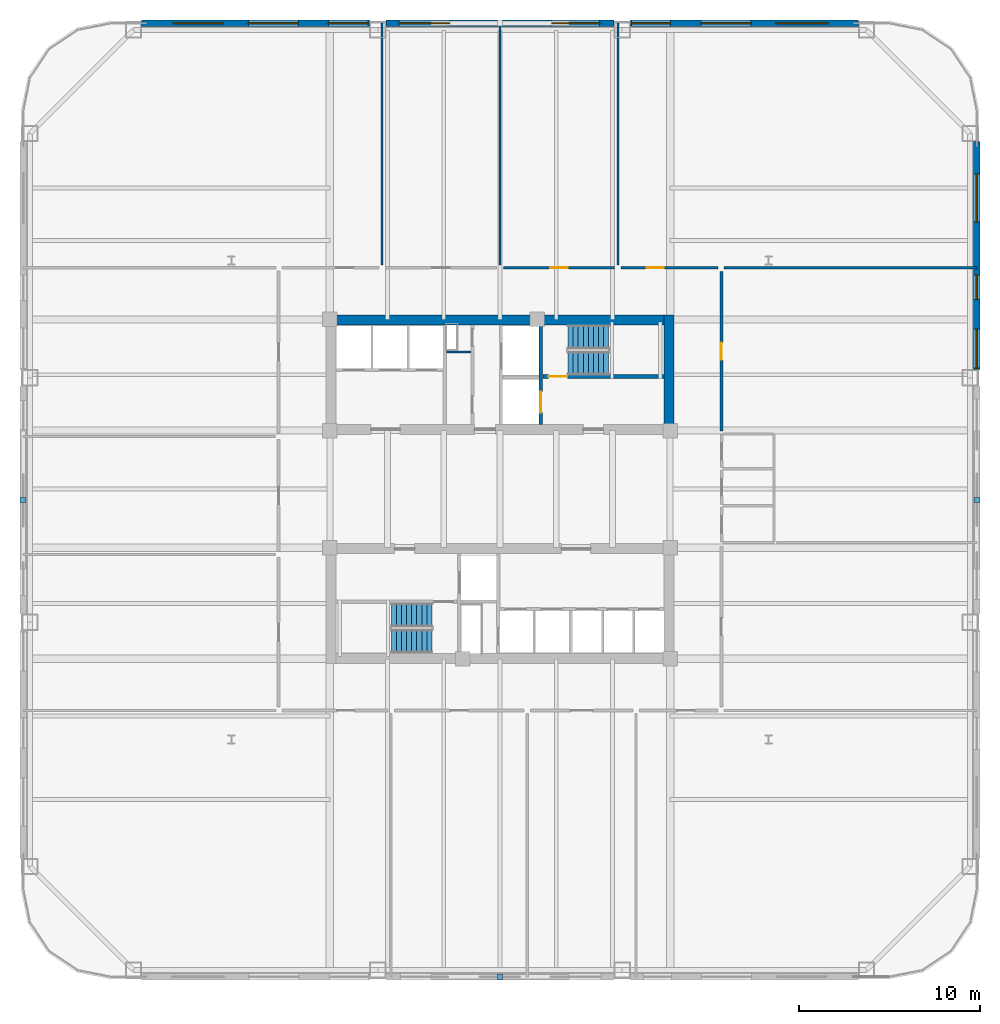
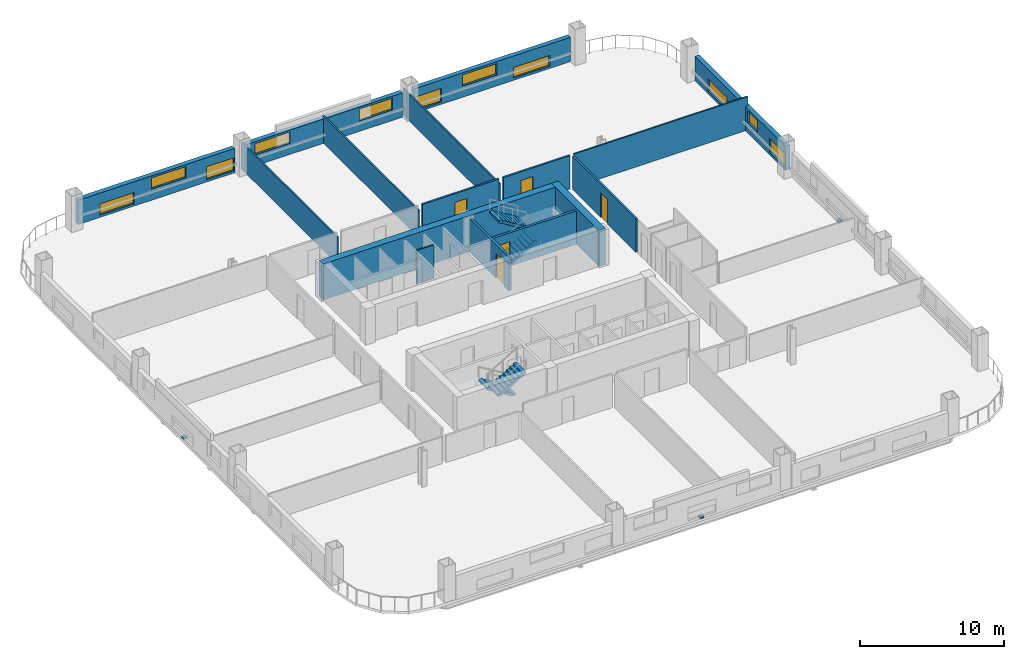
# One storey, part 5 of 12: 16 walls, 11 windows, 5 doors, 4 stair flights, 3 discrete accessories, 16 openings, 2 elements without a shape of their own.
"""IFC4 building model written with IfcOpenShell, lengths in metres."""

from ifc_helpers import new_model, si_unit, direction, frame, frame_2d, origin, origin_2d, place, context, subcontext, project, spatial, polyline, rectangle, outline, extrude, material, layer, layer_set, type_object, element, fill, aggregate, save


model = new_model("IFC4")

# Units and contexts
model_context = context("Model", 3, precision=1e-05, world=origin(), true_north=direction((0.0, 1.0)))
body_context = subcontext(model_context, "Body", "Model", "MODEL_VIEW")
ifc_project = project(units=[si_unit("LENGTHUNIT", "METRE"), si_unit("AREAUNIT", "SQUARE_METRE"), si_unit("VOLUMEUNIT", "CUBIC_METRE"), si_unit("PLANEANGLEUNIT", "RADIAN"), si_unit("MASSUNIT", "GRAM", prefix="KILO")], contexts=[model_context])

# Site, building, storey
site_placement = place(None, origin())
site = spatial("IfcSite", under=ifc_project, at=site_placement, CompositionType="ELEMENT")
building_placement = place(site_placement, origin())
building = spatial("IfcBuilding", under=site, at=building_placement, Name="Qhalaya Broadcast Tower", CompositionType="ELEMENT")
storey_placement = place(building_placement, frame((0.0, 0.0, 47.449951171875)))
storey = spatial("IfcBuildingStorey", under=building, at=storey_placement, Name="L13", CompositionType="ELEMENT", Elevation=47.449951171875)

# Wall, opening, door
ifc_material_1 = material(Name="Gypsum Acoustic Partition")
ifc_layer_1 = layer(ifc_material_1, 0.14990234375, Name="Gypsum Acoustic Partition")
ifc_layer_set_1 = layer_set([ifc_layer_1], Name="Gypsum Acoustic Partition")
wall_type_1 = type_object("IfcWallType", Name="Corridor & Tenancy Acoustic Partition 150", PredefinedType="PARTITIONING", material=ifc_layer_set_1)
wall_1_placement = place(storey_placement, frame((0.179931640625, 12.800048828125, 0.0), z_axis=(0.0, 0.0, 1.0), x_axis=(1.0, 0.0, 0.0)))
wall_1 = element("IfcWall", 1, at=wall_1_placement, inside=storey, type_object=wall_type_1, Name="L13 Partition Wall W-COR-03", PredefinedType="PARTITIONING", context=body_context, shape_type="SweptSolid", body=[
    extrude(rectangle(XDim=6.14013671875, YDim=0.14990234375, at=frame_2d((3.070068359375, 0.0))), origin(), (0.0, 0.0, 1.0), 2.830078125),
])
opening_1_placement = place(wall_1_placement, frame((2.594970703125, 0.0, 0.0)))
opening_1 = element("IfcOpeningElement", 2, at=opening_1_placement, cuts=wall_1, Name="Opening D10", PredefinedType="OPENING", context=body_context, shape_type="SweptSolid", body=[
    extrude(rectangle(XDim=0.949951171875, YDim=2.10009765625, at=frame_2d((0.47509765625, 1.050048828125))), frame((0.0, 0.0869140625, 0.0), z_axis=(0.0, -1.0, 0.0), x_axis=(1.0, 0.0, 0.0)), (0.0, 0.0, 1.0), 0.173828125),
])
ifc_material_2 = material(Name="Timber Veneer Acoustic Door", Category="wood")
door_type_1 = type_object("IfcDoorType", Name="Cellular Office & Edit Booth Door D10", OperationType="NOTDEFINED", PredefinedType="DOOR", material=ifc_material_2)
door_1_placement = place(opening_1_placement, origin())
door_1 = element("IfcDoor", 3, at=door_1_placement, inside=storey, type_object=door_type_1, Name="L13 Door D-RM03", OperationType="SINGLE_SWING_LEFT", OverallHeight=2.10009765625, OverallWidth=0.949951171875, PredefinedType="DOOR", context=body_context, shape_type="SweptSolid", body=[
    extrude(rectangle(XDim=0.949951171875, YDim=2.10009765625, at=frame_2d((0.47509765625, 1.050048828125))), frame((0.0, 0.02490234375, 0.0), z_axis=(0.0, -1.0, 0.0), x_axis=(1.0, 0.0, 0.0)), (0.0, 0.0, 1.0), 0.050048828125),
])
fill(opening_1, door_1)

wall_2_placement = place(storey_placement, frame((6.679931640625, 12.800048828125, 0.0), z_axis=(0.0, 0.0, 1.0), x_axis=(1.0, 0.0, 0.0)))
wall_2 = element("IfcWall", 4, at=wall_2_placement, inside=storey, type_object=wall_type_1, Name="L13 Partition Wall W-COR-04", PredefinedType="PARTITIONING", context=body_context, shape_type="SweptSolid", body=[
    extrude(rectangle(XDim=5.340087890625, YDim=0.14990234375, at=frame_2d((2.669921875, 0.0))), origin(), (0.0, 0.0, 1.0), 2.830078125),
])
opening_2_placement = place(wall_2_placement, frame((1.39501953125, 0.0, 0.0)))
opening_2 = element("IfcOpeningElement", 5, at=opening_2_placement, cuts=wall_2, Name="Opening D10", PredefinedType="OPENING", context=body_context, shape_type="SweptSolid", body=[
    extrude(rectangle(XDim=0.949951171875, YDim=2.10009765625, at=frame_2d((0.47509765625, 1.050048828125))), frame((0.0, 0.0869140625, 0.0), z_axis=(0.0, -1.0, 0.0), x_axis=(1.0, 0.0, 0.0)), (0.0, 0.0, 1.0), 0.173828125),
])
door_2_placement = place(opening_2_placement, origin())
door_2 = element("IfcDoor", 6, at=door_2_placement, inside=storey, type_object=door_type_1, Name="L13 Door D-RM04", OperationType="SINGLE_SWING_RIGHT", OverallHeight=2.10009765625, OverallWidth=0.949951171875, PredefinedType="DOOR", context=body_context, shape_type="SweptSolid", body=[
    extrude(rectangle(XDim=0.949951171875, YDim=2.10009765625, at=frame_2d((0.47509765625, 1.050048828125))), frame((0.0, 0.02490234375, 0.0), z_axis=(0.0, -1.0, 0.0), x_axis=(1.0, 0.0, 0.0)), (0.0, 0.0, 1.0), 0.050048828125),
])
fill(opening_2, door_2)

wall_3_placement = place(storey_placement, frame((12.199951171875, 3.800048828125, 0.0), z_axis=(0.0, 0.0, 1.0), x_axis=(0.0, 1.0, 0.0)))
wall_3 = element("IfcWall", 7, at=wall_3_placement, inside=storey, type_object=wall_type_1, Name="L13 Partition Wall W-COR-13", PredefinedType="PARTITIONING", context=body_context, shape_type="SweptSolid", body=[
    extrude(rectangle(XDim=8.800048828125, YDim=0.14990234375, at=frame_2d((4.39990234375, 0.0))), origin(), (0.0, 0.0, 1.0), 2.830078125),
])
opening_3_placement = place(wall_3_placement, frame((3.925048828125, 0.0, 0.0)))
opening_3 = element("IfcOpeningElement", 8, at=opening_3_placement, cuts=wall_3, Name="Opening D10", PredefinedType="OPENING", context=body_context, shape_type="SweptSolid", body=[
    extrude(rectangle(XDim=0.949951171875, YDim=2.10009765625, at=frame_2d((0.47509765625, 1.050048828125))), frame((0.0, 0.0869140625, 0.0), z_axis=(0.0, -1.0, 0.0), x_axis=(1.0, 0.0, 0.0)), (0.0, 0.0, 1.0), 0.173828125),
])
door_3_placement = place(opening_3_placement, origin())
door_3 = element("IfcDoor", 9, at=door_3_placement, inside=storey, type_object=door_type_1, Name="L13 Door D-RM13", OperationType="SINGLE_SWING_LEFT", OverallHeight=2.10009765625, OverallWidth=0.949951171875, PredefinedType="DOOR", context=body_context, shape_type="SweptSolid", body=[
    extrude(rectangle(XDim=0.949951171875, YDim=2.10009765625, at=frame_2d((0.47509765625, 1.050048828125))), frame((0.0, 0.02490234375, 0.0), z_axis=(0.0, -1.0, 0.0), x_axis=(1.0, 0.0, 0.0)), (0.0, 0.0, 1.0), 0.050048828125),
])
fill(opening_3, door_3)

# Wall, openings, windows
ifc_material_3 = material(Name="Precast Concrete C40/50", Category="concrete")
ifc_layer_2 = layer(ifc_material_3, 0.360107421875, Name="Precast Concrete C40/50")
ifc_layer_set_2 = layer_set([ifc_layer_2], Name="Precast Concrete C40/50")
wall_type_2 = type_object("IfcWallType", Name="Insulated Precast Terracotta Exterior Wall 360", PredefinedType="SOLIDWALL", material=ifc_layer_set_2)
wall_4_placement = place(storey_placement, frame((26.260009765625, 19.761962890625, 0.0), z_axis=(0.0, 0.0, 1.0), x_axis=(0.0, -1.0, 0.0)))
wall_4 = element("IfcWall", 10, at=wall_4_placement, inside=storey, type_object=wall_type_2, Name="L13 Exoskeleton Diagrid Infill Wall E1", PredefinedType="SOLIDWALL", context=body_context, shape_type="SweptSolid", body=[
    extrude(rectangle(XDim=12.57861328125, YDim=0.360107421875, at=frame_2d((6.289306640625, 0.0))), origin(), (0.0, 0.0, 1.0), 2.067138671875),
])
opening_4_placement = place(wall_4_placement, frame((1.800048828125, 0.0, 0.199951171875)))
opening_4 = element("IfcOpeningElement", 11, at=opening_4_placement, cuts=wall_4, Name="Opening W11", PredefinedType="OPENING", context=body_context, shape_type="SweptSolid", body=[
    extrude(rectangle(XDim=2.64990234375, YDim=1.050048828125, at=frame_2d((1.324951171875, 0.52490234375))), frame((0.0, 0.192138671875, 0.0), z_axis=(0.0, -1.0, 0.0), x_axis=(1.0, 0.0, 0.0)), (0.0, 0.0, 1.0), 0.384033203125),
])
opening_5_placement = place(wall_4_placement, frame((7.35009765625, 0.0, 0.89990234375)))
opening_5 = element("IfcOpeningElement", 12, at=opening_5_placement, cuts=wall_4, Name="Opening W11", PredefinedType="OPENING", context=body_context, shape_type="SweptSolid", body=[
    extrude(rectangle(XDim=1.35009765625, YDim=1.0, at=frame_2d((0.675048828125, 0.5))), frame((0.0, 0.192138671875, 0.0), z_axis=(0.0, -1.0, 0.0), x_axis=(1.0, 0.0, 0.0)), (0.0, 0.0, 1.0), 0.384033203125),
])
opening_6_placement = place(wall_4_placement, frame((10.35009765625, 0.0, 0.199951171875)))
opening_6 = element("IfcOpeningElement", 13, at=opening_6_placement, cuts=wall_4, Name="Opening W11", PredefinedType="OPENING", context=body_context, shape_type="SweptSolid", body=[
    extrude(rectangle(XDim=2.14990234375, YDim=1.199951171875, at=frame_2d((1.074951171875, 0.60009765625))), frame((0.0, 0.192138671875, 0.0), z_axis=(0.0, -1.0, 0.0), x_axis=(1.0, 0.0, 0.0)), (0.0, 0.0, 1.0), 0.384033203125),
])
ifc_material_4 = material(Name="Solar-Control Low-E Triple Glazing", Category="glass")
window_type = type_object("IfcWindowType", Name="Odd-Block Diagrid Infill Window W11", PartitioningType="SINGLE_PANEL", PredefinedType="WINDOW", material=ifc_material_4)
window_1_placement = place(opening_4_placement, origin())
window_1 = element("IfcWindow", 14, at=window_1_placement, inside=storey, type_object=window_type, Name="L13 Diagrid Infill Window W11-E1", OverallHeight=1.050048828125, OverallWidth=2.64990234375, PartitioningType="SINGLE_PANEL", PredefinedType="WINDOW", context=body_context, shape_type="SweptSolid", body=[
    extrude(rectangle(XDim=2.64990234375, YDim=1.050048828125, at=frame_2d((1.324951171875, 0.52490234375))), frame((0.0, 0.030029296875, 0.0), z_axis=(0.0, -1.0, 0.0), x_axis=(1.0, 0.0, 0.0)), (0.0, 0.0, 1.0), 0.06005859375),
])
fill(opening_4, window_1)
window_2_placement = place(opening_5_placement, origin())
window_2 = element("IfcWindow", 15, at=window_2_placement, inside=storey, type_object=window_type, Name="L13 Diagrid Infill Window W11-E2", OverallHeight=1.0, OverallWidth=1.35009765625, PartitioningType="SINGLE_PANEL", PredefinedType="WINDOW", context=body_context, shape_type="SweptSolid", body=[
    extrude(rectangle(XDim=1.35009765625, YDim=1.0, at=frame_2d((0.675048828125, 0.5))), frame((0.0, 0.030029296875, 0.0), z_axis=(0.0, -1.0, 0.0), x_axis=(1.0, 0.0, 0.0)), (0.0, 0.0, 1.0), 0.06005859375),
])
fill(opening_5, window_2)
window_3_placement = place(opening_6_placement, origin())
window_3 = element("IfcWindow", 16, at=window_3_placement, inside=storey, type_object=window_type, Name="L13 Diagrid Infill Window W11-E3", OverallHeight=1.199951171875, OverallWidth=2.14990234375, PartitioningType="SINGLE_PANEL", PredefinedType="WINDOW", context=body_context, shape_type="SweptSolid", body=[
    extrude(rectangle(XDim=2.14990234375, YDim=1.199951171875, at=frame_2d((1.074951171875, 0.60009765625))), frame((0.0, 0.030029296875, 0.0), z_axis=(0.0, -1.0, 0.0), x_axis=(1.0, 0.0, 0.0)), (0.0, 0.0, 1.0), 0.06005859375),
])
fill(opening_6, window_3)

wall_5_placement = place(storey_placement, frame((-19.761962890625, 26.260009765625, 0.0), z_axis=(0.0, 0.0, 1.0), x_axis=(1.0, 0.0, 0.0)))
wall_5 = element("IfcWall", 17, at=wall_5_placement, inside=storey, type_object=wall_type_2, Name="L13 Exoskeleton Diagrid Infill Wall N1", PredefinedType="SOLIDWALL", context=body_context, shape_type="SweptSolid", body=[
    extrude(rectangle(XDim=12.57861328125, YDim=0.360107421875, at=frame_2d((6.289306640625, 0.0))), origin(), (0.0, 0.0, 1.0), 2.067138671875),
])
opening_7_placement = place(wall_5_placement, frame((1.75, 0.0, 0.199951171875)))
opening_7 = element("IfcOpeningElement", 18, at=opening_7_placement, cuts=wall_5, Name="Opening W11", PredefinedType="OPENING", context=body_context, shape_type="SweptSolid", body=[
    extrude(rectangle(XDim=2.75, YDim=0.949951171875, at=frame_2d((1.375, 0.47509765625))), frame((0.0, 0.192138671875, 0.0), z_axis=(0.0, -1.0, 0.0), x_axis=(1.0, 0.0, 0.0)), (0.0, 0.0, 1.0), 0.384033203125),
])
opening_8_placement = place(wall_5_placement, frame((5.89990234375, 0.0, 0.949951171875)))
opening_8 = element("IfcOpeningElement", 19, at=opening_8_placement, cuts=wall_5, Name="Opening W11", PredefinedType="OPENING", context=body_context, shape_type="SweptSolid", body=[
    extrude(rectangle(XDim=2.75, YDim=0.949951171875, at=frame_2d((1.375, 0.47509765625))), frame((0.0, 0.192138671875, 0.0), z_axis=(0.0, -1.0, 0.0), x_axis=(1.0, 0.0, 0.0)), (0.0, 0.0, 1.0), 0.384033203125),
])
opening_9_placement = place(wall_5_placement, frame((10.300048828125, 0.0, 0.199951171875)))
opening_9 = element("IfcOpeningElement", 20, at=opening_9_placement, cuts=wall_5, Name="Opening W11", PredefinedType="OPENING", context=body_context, shape_type="SweptSolid", body=[
    extrude(rectangle(XDim=2.199951171875, YDim=1.10009765625, at=frame_2d((1.10009765625, 0.550048828125))), frame((0.0, 0.192138671875, 0.0), z_axis=(0.0, -1.0, 0.0), x_axis=(1.0, 0.0, 0.0)), (0.0, 0.0, 1.0), 0.384033203125),
])
window_4_placement = place(opening_7_placement, origin())
window_4 = element("IfcWindow", 21, at=window_4_placement, inside=storey, type_object=window_type, Name="L13 Diagrid Infill Window W11-N1", OverallHeight=0.949951171875, OverallWidth=2.75, PartitioningType="SINGLE_PANEL", PredefinedType="WINDOW", context=body_context, shape_type="SweptSolid", body=[
    extrude(rectangle(XDim=2.75, YDim=0.949951171875, at=frame_2d((1.375, 0.47509765625))), frame((0.0, 0.030029296875, 0.0), z_axis=(0.0, -1.0, 0.0), x_axis=(1.0, 0.0, 0.0)), (0.0, 0.0, 1.0), 0.06005859375),
])
fill(opening_7, window_4)
window_5_placement = place(opening_8_placement, origin())
window_5 = element("IfcWindow", 22, at=window_5_placement, inside=storey, type_object=window_type, Name="L13 Diagrid Infill Window W11-N2", OverallHeight=0.949951171875, OverallWidth=2.75, PartitioningType="SINGLE_PANEL", PredefinedType="WINDOW", context=body_context, shape_type="SweptSolid", body=[
    extrude(rectangle(XDim=2.75, YDim=0.949951171875, at=frame_2d((1.375, 0.47509765625))), frame((0.0, 0.030029296875, 0.0), z_axis=(0.0, -1.0, 0.0), x_axis=(1.0, 0.0, 0.0)), (0.0, 0.0, 1.0), 0.06005859375),
])
fill(opening_8, window_5)
window_6_placement = place(opening_9_placement, origin())
window_6 = element("IfcWindow", 23, at=window_6_placement, inside=storey, type_object=window_type, Name="L13 Diagrid Infill Window W11-N3", OverallHeight=1.10009765625, OverallWidth=2.199951171875, PartitioningType="SINGLE_PANEL", PredefinedType="WINDOW", context=body_context, shape_type="SweptSolid", body=[
    extrude(rectangle(XDim=2.199951171875, YDim=1.10009765625, at=frame_2d((1.10009765625, 0.550048828125))), frame((0.0, 0.030029296875, 0.0), z_axis=(0.0, -1.0, 0.0), x_axis=(1.0, 0.0, 0.0)), (0.0, 0.0, 1.0), 0.06005859375),
])
fill(opening_9, window_6)

wall_6_placement = place(storey_placement, frame((-6.283203125, 26.260009765625, 0.0), z_axis=(0.0, 0.0, 1.0), x_axis=(1.0, 0.0, 0.0)))
wall_6 = element("IfcWall", 24, at=wall_6_placement, inside=storey, type_object=wall_type_2, Name="L13 Exoskeleton Diagrid Infill Wall N2", PredefinedType="SOLIDWALL", context=body_context, shape_type="SweptSolid", body=[
    extrude(rectangle(XDim=12.56640625, YDim=0.360107421875, at=frame_2d((6.283203125, 0.0))), origin(), (0.0, 0.0, 1.0), 2.067138671875),
])
opening_10_placement = place(wall_6_placement, frame((0.720947265625, 0.0, 0.949951171875)))
opening_10 = element("IfcOpeningElement", 25, at=opening_10_placement, cuts=wall_6, Name="Opening W11", PredefinedType="OPENING", context=body_context, shape_type="SweptSolid", body=[
    extrude(rectangle(XDim=2.800048828125, YDim=0.949951171875, at=frame_2d((1.39990234375, 0.47509765625))), frame((0.0, 0.192138671875, 0.0), z_axis=(0.0, -1.0, 0.0), x_axis=(1.0, 0.0, 0.0)), (0.0, 0.0, 1.0), 0.384033203125),
])
opening_11_placement = place(wall_6_placement, frame((9.12109375, 0.0, 0.89990234375)))
opening_11 = element("IfcOpeningElement", 26, at=opening_11_placement, cuts=wall_6, Name="Opening W11", PredefinedType="OPENING", context=body_context, shape_type="SweptSolid", body=[
    extrude(rectangle(XDim=2.64990234375, YDim=1.0, at=frame_2d((1.324951171875, 0.5))), frame((0.0, 0.192138671875, 0.0), z_axis=(0.0, -1.0, 0.0), x_axis=(1.0, 0.0, 0.0)), (0.0, 0.0, 1.0), 0.384033203125),
])
window_7_placement = place(opening_10_placement, origin())
window_7 = element("IfcWindow", 27, at=window_7_placement, inside=storey, type_object=window_type, Name="L13 Diagrid Infill Window W11-N4", OverallHeight=0.949951171875, OverallWidth=2.800048828125, PartitioningType="SINGLE_PANEL", PredefinedType="WINDOW", context=body_context, shape_type="SweptSolid", body=[
    extrude(rectangle(XDim=2.800048828125, YDim=0.949951171875, at=frame_2d((1.39990234375, 0.47509765625))), frame((0.0, 0.030029296875, 0.0), z_axis=(0.0, -1.0, 0.0), x_axis=(1.0, 0.0, 0.0)), (0.0, 0.0, 1.0), 0.06005859375),
])
fill(opening_10, window_7)
window_8_placement = place(opening_11_placement, origin())
window_8 = element("IfcWindow", 28, at=window_8_placement, inside=storey, type_object=window_type, Name="L13 Diagrid Infill Window W11-N5", OverallHeight=1.0, OverallWidth=2.64990234375, PartitioningType="SINGLE_PANEL", PredefinedType="WINDOW", context=body_context, shape_type="SweptSolid", body=[
    extrude(rectangle(XDim=2.64990234375, YDim=1.0, at=frame_2d((1.324951171875, 0.5))), frame((0.0, 0.030029296875, 0.0), z_axis=(0.0, -1.0, 0.0), x_axis=(1.0, 0.0, 0.0)), (0.0, 0.0, 1.0), 0.06005859375),
])
fill(opening_11, window_8)

wall_7_placement = place(storey_placement, frame((7.183349609375, 26.260009765625, 0.0), z_axis=(0.0, 0.0, 1.0), x_axis=(1.0, 0.0, 0.0)))
wall_7 = element("IfcWall", 29, at=wall_7_placement, inside=storey, type_object=wall_type_2, Name="L13 Exoskeleton Diagrid Infill Wall N3", PredefinedType="SOLIDWALL", context=body_context, shape_type="SweptSolid", body=[
    extrude(rectangle(XDim=12.57861328125, YDim=0.360107421875, at=frame_2d((6.289306640625, 0.0))), origin(), (0.0, 0.0, 1.0), 2.067138671875),
])
opening_12_placement = place(wall_7_placement, frame((0.054931640625, 0.0, 0.199951171875)))
opening_12 = element("IfcOpeningElement", 30, at=opening_12_placement, cuts=wall_7, Name="Opening W11", PredefinedType="OPENING", context=body_context, shape_type="SweptSolid", body=[
    extrude(rectangle(XDim=2.14990234375, YDim=1.14990234375, at=frame_2d((1.074951171875, 0.574951171875))), frame((0.0, 0.192138671875, 0.0), z_axis=(0.0, -1.0, 0.0), x_axis=(1.0, 0.0, 0.0)), (0.0, 0.0, 1.0), 0.384033203125),
])
opening_13_placement = place(wall_7_placement, frame((3.905029296875, 0.0, 0.949951171875)))
opening_13 = element("IfcOpeningElement", 31, at=opening_13_placement, cuts=wall_7, Name="Opening W11", PredefinedType="OPENING", context=body_context, shape_type="SweptSolid", body=[
    extrude(rectangle(XDim=2.75, YDim=0.949951171875, at=frame_2d((1.375, 0.47509765625))), frame((0.0, 0.192138671875, 0.0), z_axis=(0.0, -1.0, 0.0), x_axis=(1.0, 0.0, 0.0)), (0.0, 0.0, 1.0), 0.384033203125),
])
opening_14_placement = place(wall_7_placement, frame((8.0048828125, 0.0, 0.199951171875)))
opening_14 = element("IfcOpeningElement", 32, at=opening_14_placement, cuts=wall_7, Name="Opening W11", PredefinedType="OPENING", context=body_context, shape_type="SweptSolid", body=[
    extrude(rectangle(XDim=2.89990234375, YDim=0.89990234375, at=frame_2d((1.449951171875, 0.449951171875))), frame((0.0, 0.192138671875, 0.0), z_axis=(0.0, -1.0, 0.0), x_axis=(1.0, 0.0, 0.0)), (0.0, 0.0, 1.0), 0.384033203125),
])
window_9_placement = place(opening_12_placement, origin())
window_9 = element("IfcWindow", 33, at=window_9_placement, inside=storey, type_object=window_type, Name="L13 Diagrid Infill Window W11-N6", OverallHeight=1.14990234375, OverallWidth=2.14990234375, PartitioningType="SINGLE_PANEL", PredefinedType="WINDOW", context=body_context, shape_type="SweptSolid", body=[
    extrude(rectangle(XDim=2.14990234375, YDim=1.14990234375, at=frame_2d((1.074951171875, 0.574951171875))), frame((0.0, 0.030029296875, 0.0), z_axis=(0.0, -1.0, 0.0), x_axis=(1.0, 0.0, 0.0)), (0.0, 0.0, 1.0), 0.06005859375),
])
fill(opening_12, window_9)
window_10_placement = place(opening_13_placement, origin())
window_10 = element("IfcWindow", 34, at=window_10_placement, inside=storey, type_object=window_type, Name="L13 Diagrid Infill Window W11-N7", OverallHeight=0.949951171875, OverallWidth=2.75, PartitioningType="SINGLE_PANEL", PredefinedType="WINDOW", context=body_context, shape_type="SweptSolid", body=[
    extrude(rectangle(XDim=2.75, YDim=0.949951171875, at=frame_2d((1.375, 0.47509765625))), frame((0.0, 0.030029296875, 0.0), z_axis=(0.0, -1.0, 0.0), x_axis=(1.0, 0.0, 0.0)), (0.0, 0.0, 1.0), 0.06005859375),
])
fill(opening_13, window_10)
window_11_placement = place(opening_14_placement, origin())
window_11 = element("IfcWindow", 35, at=window_11_placement, inside=storey, type_object=window_type, Name="L13 Diagrid Infill Window W11-N8", OverallHeight=0.89990234375, OverallWidth=2.89990234375, PartitioningType="SINGLE_PANEL", PredefinedType="WINDOW", context=body_context, shape_type="SweptSolid", body=[
    extrude(rectangle(XDim=2.89990234375, YDim=0.89990234375, at=frame_2d((1.449951171875, 0.449951171875))), frame((0.0, 0.030029296875, 0.0), z_axis=(0.0, -1.0, 0.0), x_axis=(1.0, 0.0, 0.0)), (0.0, 0.0, 1.0), 0.06005859375),
])
fill(opening_14, window_11)

# Wall, opening, door
ifc_material_5 = material(Name="Concrete C50/60", Category="concrete")
ifc_layer_3 = layer(ifc_material_5, 0.199951171875, Name="Concrete C50/60")
ifc_layer_set_3 = layer_set([ifc_layer_3], Name="Concrete C50/60")
wall_type_3 = type_object("IfcWallType", Name="Load-Bearing Stair Shaft Wall 200", PredefinedType="SHEAR", material=ifc_layer_set_3)
wall_8_placement = place(storey_placement, frame((2.360107421875, 6.804931640625, 0.0), z_axis=(0.0, 0.0, 1.0), x_axis=(1.0, 0.0, 0.0)))
wall_8 = element("IfcWall", 36, at=wall_8_placement, inside=storey, type_object=wall_type_3, Name="L13 Stair Core Shear Wall NCW-ST1", PredefinedType="SHEAR", context=body_context, shape_type="SweptSolid", body=[
    extrude(rectangle(XDim=6.669921875, YDim=0.199951171875, at=frame_2d((3.3349609375, 0.0))), origin(), (0.0, 0.0, 1.0), 2.830078125),
])
opening_15_placement = place(wall_8_placement, frame((0.300048828125, 0.0, 0.0)))
opening_15 = element("IfcOpeningElement", 37, at=opening_15_placement, cuts=wall_8, Name="Opening D03", PredefinedType="OPENING", context=body_context, shape_type="SweptSolid", body=[
    extrude(rectangle(XDim=1.050048828125, YDim=2.080078125, at=frame_2d((0.52490234375, 1.0400390625))), frame((0.0, 0.112060546875, 0.0), z_axis=(0.0, -1.0, 0.0), x_axis=(1.0, 0.0, 0.0)), (0.0, 0.0, 1.0), 0.223876953125),
])
ifc_material_6 = material(Name="Fire-Rated Steel Door", Category="steel")
door_type_2 = type_object("IfcDoorType", Name="Core Stair Protected Fire Door D03", OperationType="NOTDEFINED", PredefinedType="DOOR", material=ifc_material_6)
door_4_placement = place(opening_15_placement, origin())
door_4 = element("IfcDoor", 38, at=door_4_placement, inside=storey, type_object=door_type_2, Name="L13 Door D-NST1", OperationType="SINGLE_SWING_LEFT", OverallHeight=2.080078125, OverallWidth=1.050048828125, PredefinedType="DOOR", context=body_context, shape_type="SweptSolid", body=[
    extrude(rectangle(XDim=1.050048828125, YDim=2.080078125, at=frame_2d((0.52490234375, 1.0400390625))), frame((0.0, 0.02490234375, 0.0), z_axis=(0.0, -1.0, 0.0), x_axis=(1.0, 0.0, 0.0)), (0.0, 0.0, 1.0), 0.050048828125),
])
fill(opening_15, door_4)

wall_9_placement = place(storey_placement, frame((2.25, 4.169921875, 0.0), z_axis=(0.0, 0.0, 1.0), x_axis=(0.0, 1.0, 0.0)))
wall_9 = element("IfcWall", 39, at=wall_9_placement, inside=storey, type_object=wall_type_3, Name="L13 Stair Core Shear Wall NCW-FF", PredefinedType="SHEAR", context=body_context, shape_type="SweptSolid", body=[
    extrude(rectangle(XDim=5.4599609375, YDim=0.199951171875, at=frame_2d((2.72998046875, 0.0))), origin(), (0.0, 0.0, 1.0), 2.830078125),
])
opening_16_placement = place(wall_9_placement, frame((0.64990234375, 0.0, 0.0)))
opening_16 = element("IfcOpeningElement", 40, at=opening_16_placement, cuts=wall_9, Name="Opening LD2", PredefinedType="OPENING", context=body_context, shape_type="SweptSolid", body=[
    extrude(rectangle(XDim=1.14990234375, YDim=2.080078125, at=frame_2d((0.574951171875, 1.0400390625))), frame((0.0, 0.112060546875, 0.0), z_axis=(0.0, -1.0, 0.0), x_axis=(1.0, 0.0, 0.0)), (0.0, 0.0, 1.0), 0.223876953125),
])
ifc_material_7 = material(Name="Brushed Stainless Steel Lift Door", Category="steel")
door_type_3 = type_object("IfcDoorType", Name="Firefighting Lift Sliding Landing Door LD2", OperationType="DOUBLE_DOOR_SLIDING", PredefinedType="DOOR", material=ifc_material_7)
door_5_placement = place(opening_16_placement, origin())
door_5 = element("IfcDoor", 41, at=door_5_placement, inside=storey, type_object=door_type_3, Name="L13 Door LD-FF1", OperationType="DOUBLE_DOOR_SLIDING", OverallHeight=2.080078125, OverallWidth=1.14990234375, PredefinedType="DOOR", context=body_context, shape_type="SweptSolid", body=[
    extrude(rectangle(XDim=1.14990234375, YDim=2.080078125, at=frame_2d((0.574951171875, 1.0400390625))), frame((0.0, 0.02490234375, 0.0), z_axis=(0.0, -1.0, 0.0), x_axis=(1.0, 0.0, 0.0)), (0.0, 0.0, 1.0), 0.050048828125),
])
fill(opening_16, door_5)

# Walls
ifc_material_8 = material(Name="Concrete C60/75", Category="concrete")
ifc_layer_4 = layer(ifc_material_8, 0.550048828125, Name="Concrete C60/75")
ifc_layer_set_4 = layer_set([ifc_layer_4], Name="Concrete C60/75")
wall_type_4 = type_object("IfcWallType", Name="Lower Split-Core Shear Wall 550", PredefinedType="SHEAR", material=ifc_layer_set_4)
wall_10_placement = place(storey_placement, frame((-9.60009765625, 9.925048828125, 0.0), z_axis=(0.0, 0.0, 1.0), x_axis=(1.0, 0.0, 0.0)))
element("IfcWall", 42, at=wall_10_placement, inside=storey, type_object=wall_type_4, Name="L13 Split-Core Shear Wall CW-NN", PredefinedType="SHEAR", context=body_context, shape_type="SweptSolid", body=[
    extrude(rectangle(XDim=19.2001953125, YDim=0.550048828125, at=frame_2d((9.60009765625, 0.0))), origin(), (0.0, 0.0, 1.0), 3.050048828125),
])
wall_11_placement = place(storey_placement, frame((9.324951171875, 3.60009765625, 0.0), z_axis=(0.0, 0.0, 1.0), x_axis=(0.0, 1.0, 0.0)))
element("IfcWall", 43, at=wall_11_placement, inside=storey, type_object=wall_type_4, Name="L13 Split-Core Shear Wall CW-NE", PredefinedType="SHEAR", context=body_context, shape_type="SweptSolid", body=[
    extrude(rectangle(XDim=6.599853515625, YDim=0.550048828125, at=frame_2d((3.2998046875, 0.0))), origin(), (0.0, 0.0, 1.0), 3.050048828125),
])
ifc_layer_5 = layer(ifc_material_1, 0.1201171875, Name="Gypsum Acoustic Partition")
ifc_layer_set_5 = layer_set([ifc_layer_5], Name="Gypsum Acoustic Partition")
wall_type_5 = type_object("IfcWallType", Name="Office, Booth & Sanitary Partition 120", PredefinedType="PARTITIONING", material=ifc_layer_set_5)
wall_12_placement = place(storey_placement, frame((-2.9599609375, 8.14990234375, 0.0), z_axis=(0.0, 0.0, 1.0), x_axis=(1.0, 0.0, 0.0)))
element("IfcWall", 44, at=wall_12_placement, inside=storey, type_object=wall_type_5, Name="L13 Partition Wall NCW-VA", PredefinedType="PARTITIONING", context=body_context, shape_type="SweptSolid", body=[
    extrude(rectangle(XDim=1.35986328125, YDim=0.1201171875, at=frame_2d((0.679931640625, 0.0))), origin(), (0.0, 0.0, 1.0), 2.830078125),
])
wall_13_placement = place(storey_placement, frame((12.340087890625, 12.800048828125, 0.0), z_axis=(0.0, 0.0, 1.0), x_axis=(1.0, 0.0, 0.0)))
element("IfcWall", 45, at=wall_13_placement, inside=storey, type_object=wall_type_5, Name="L13 Partition Wall W-BNDE1", PredefinedType="PARTITIONING", context=body_context, shape_type="SweptSolid", body=[
    extrude(rectangle(XDim=13.93994140625, YDim=0.1201171875, at=frame_2d((6.969970703125, 0.0))), origin(), (0.0, 0.0, 1.0), 2.830078125),
])
for number, where, z_axis, x_axis, name in (
    (46, (-6.5, 12.9599609375, 0.0), (0.0, 0.0, 1.0), (0.0, 1.0, 0.0), "L13 Partition Wall W-DIVN1"),
    (47, (0.0, 12.9599609375, 0.0), (0.0, 0.0, 1.0), (0.0, 1.0, 0.0), "L13 Partition Wall W-DIVN2"),
    (48, (6.5, 12.9599609375, 0.0), (0.0, 0.0, 1.0), (0.0, 1.0, 0.0), "L13 Partition Wall W-DIVN3"),
):
    element("IfcWall", number, at=place(storey_placement, frame(where, z_axis=z_axis, x_axis=x_axis)), inside=storey, type_object=wall_type_5, Name=name, PredefinedType="PARTITIONING", context=body_context, shape_type="SweptSolid", body=[
        extrude(rectangle(XDim=13.320068359375, YDim=0.1201171875, at=frame_2d((6.66015625, 0.0))), origin(), (0.0, 0.0, 1.0), 2.274169921875),
    ])

# Stair, stair flights
ifc_material_9 = material(Name="Concrete C40/50", Category="concrete")
stair_type = type_object("IfcStairType", Name="Protected Dogleg Core Stair 3150", PredefinedType="TWO_STRAIGHT_RUN_STAIR", material=ifc_material_9)
stair_1_placement = place(storey_placement, origin())
stair_1 = element("IfcStair", 49, at=stair_1_placement, inside=storey, type_object=stair_type, Name="L13 North Core Exit Stair ST-1", PredefinedType="TWO_STRAIGHT_RUN_STAIR")
stair_flight_type = type_object("IfcStairFlightType", Name="Precast Concrete Stair Flight 3150", PredefinedType="STRAIGHT", material=ifc_material_3)
stair_flight_1_placement = place(storey_placement, frame((3.75, 7.5400390625, 0.0), z_axis=(0.0, 0.0, 1.0), x_axis=(1.0, 0.0, 0.0)))
stair_flight_1 = element("IfcStairFlight", 50, at=stair_flight_1_placement, type_object=stair_flight_type, Name="ST-1 flight 1", NumberOfRisers=9, NumberOfTreads=8, PredefinedType="STRAIGHT", RiserHeight=0.169444444, TreadLength=0.28, context=body_context, shape_type="SweptSolid", body=[
    extrude(outline(polyline([(0.0, 0.0), (0.0, 0.16943359375), (0.280029296875, 0.16943359375), (0.280029296875, 0.3388671875), (0.56005859375, 0.3388671875), (0.56005859375, 0.50830078125), (0.840087890625, 0.50830078125), (0.840087890625, 0.677734375), (1.1201171875, 0.677734375), (1.1201171875, 0.84716796875), (1.39990234375, 0.84716796875), (1.39990234375, 1.0166015625), (1.679931640625, 1.0166015625), (1.679931640625, 1.18603515625), (1.9599609375, 1.18603515625), (1.9599609375, 1.35546875), (2.239990234375, 1.35546875), (2.239990234375, 1.52490234375), (2.239990234375, 1.180419921875), (0.28955078125, 0.0), (0.0, 0.0)])), frame((0.0, 0.66015625, 0.0), z_axis=(0.0, -1.0, 0.0), x_axis=(1.0, 0.0, 0.0)), (0.0, 0.0, 1.0), 1.320068359375),
])
stair_flight_2_placement = place(storey_placement, frame((5.989990234375, 8.97998046875, 1.525146484375), z_axis=(0.0, 0.0, 1.0), x_axis=(-1.0, 0.0, 0.0)))
stair_flight_2 = element("IfcStairFlight", 51, at=stair_flight_2_placement, type_object=stair_flight_type, Name="ST-1 flight 2", NumberOfRisers=9, NumberOfTreads=8, PredefinedType="STRAIGHT", RiserHeight=0.169444444, TreadLength=0.28, context=body_context, shape_type="SweptSolid", body=[
    extrude(outline(polyline([(0.0, 0.0), (0.0, 0.16943359375), (0.280029296875, 0.16943359375), (0.280029296875, 0.3388671875), (0.56005859375, 0.3388671875), (0.56005859375, 0.50830078125), (0.840087890625, 0.50830078125), (0.840087890625, 0.677734375), (1.1201171875, 0.677734375), (1.1201171875, 0.84716796875), (1.39990234375, 0.84716796875), (1.39990234375, 1.0166015625), (1.679931640625, 1.0166015625), (1.679931640625, 1.18603515625), (1.9599609375, 1.18603515625), (1.9599609375, 1.35546875), (2.239990234375, 1.35546875), (2.239990234375, 1.52490234375), (2.239990234375, 1.180419921875), (0.28955078125, 0.0), (0.0, 0.0)])), frame((0.0, 0.66015625, 0.0), z_axis=(0.0, -1.0, 0.0), x_axis=(1.0, 0.0, 0.0)), (0.0, 0.0, 1.0), 1.320068359375),
])
aggregate(stair_1, [stair_flight_1, stair_flight_2])

stair_2_placement = place(storey_placement, origin())
stair_2 = element("IfcStair", 52, at=stair_2_placement, inside=storey, type_object=stair_type, Name="L13 South Core Exit Stair ST-2", PredefinedType="TWO_STRAIGHT_RUN_STAIR")
stair_flight_3_placement = place(storey_placement, frame((-3.75, -6.340087890625, 0.0), z_axis=(0.0, 0.0, 1.0), x_axis=(-1.0, 0.0, 0.0)))
stair_flight_3 = element("IfcStairFlight", 53, at=stair_flight_3_placement, type_object=stair_flight_type, Name="ST-2 flight 1", NumberOfRisers=9, NumberOfTreads=8, PredefinedType="STRAIGHT", RiserHeight=0.169444444, TreadLength=0.28, context=body_context, shape_type="SweptSolid", body=[
    extrude(outline(polyline([(0.0, 0.0), (0.0, 0.16943359375), (0.280029296875, 0.16943359375), (0.280029296875, 0.3388671875), (0.56005859375, 0.3388671875), (0.56005859375, 0.50830078125), (0.840087890625, 0.50830078125), (0.840087890625, 0.677734375), (1.1201171875, 0.677734375), (1.1201171875, 0.84716796875), (1.39990234375, 0.84716796875), (1.39990234375, 1.0166015625), (1.679931640625, 1.0166015625), (1.679931640625, 1.18603515625), (1.9599609375, 1.18603515625), (1.9599609375, 1.35546875), (2.239990234375, 1.35546875), (2.239990234375, 1.52490234375), (2.239990234375, 1.180419921875), (0.28955078125, 0.0), (0.0, 0.0)])), frame((0.0, 0.66015625, 0.0), z_axis=(0.0, -1.0, 0.0), x_axis=(1.0, 0.0, 0.0)), (0.0, 0.0, 1.0), 1.320068359375),
])
stair_flight_4_placement = place(storey_placement, frame((-5.989990234375, -7.780029296875, 1.525146484375), z_axis=(0.0, 0.0, 1.0), x_axis=(1.0, 0.0, 0.0)))
stair_flight_4 = element("IfcStairFlight", 54, at=stair_flight_4_placement, type_object=stair_flight_type, Name="ST-2 flight 2", NumberOfRisers=9, NumberOfTreads=8, PredefinedType="STRAIGHT", RiserHeight=0.169444444, TreadLength=0.28, context=body_context, shape_type="SweptSolid", body=[
    extrude(outline(polyline([(0.0, 0.0), (0.0, 0.16943359375), (0.280029296875, 0.16943359375), (0.280029296875, 0.3388671875), (0.56005859375, 0.3388671875), (0.56005859375, 0.50830078125), (0.840087890625, 0.50830078125), (0.840087890625, 0.677734375), (1.1201171875, 0.677734375), (1.1201171875, 0.84716796875), (1.39990234375, 0.84716796875), (1.39990234375, 1.0166015625), (1.679931640625, 1.0166015625), (1.679931640625, 1.18603515625), (1.9599609375, 1.18603515625), (1.9599609375, 1.35546875), (2.239990234375, 1.35546875), (2.239990234375, 1.52490234375), (2.239990234375, 1.180419921875), (0.28955078125, 0.0), (0.0, 0.0)])), frame((0.0, 0.66015625, 0.0), z_axis=(0.0, -1.0, 0.0), x_axis=(1.0, 0.0, 0.0)), (0.0, 0.0, 1.0), 1.320068359375),
])
aggregate(stair_2, [stair_flight_3, stair_flight_4])

# Discrete accessories
ifc_material_10 = material(Name="Structural Steel ASTM A572 Grade 50", Category="steel")
discrete_accessory_type = type_object("IfcDiscreteAccessoryType", Name="Facade Baguette Support Bracket BRK-01", PredefinedType="BRACKET", material=ifc_material_10)
for number, where, z_axis, x_axis, name in (
    (55, (0.0, -26.280029296875, 0.0), (0.0, 0.0, 1.0), (1.0, 0.0, 0.0), "L13 Baguette Support Bracket S"),
    (56, (26.280029296875, 0.0, 0.0), (0.0, 0.0, 1.0), (0.0, 1.0, 0.0), "L13 Baguette Support Bracket E"),
    (57, (-26.280029296875, 0.0, 0.0), (0.0, 0.0, 1.0), (0.0, -1.0, 0.0), "L13 Baguette Support Bracket W"),
):
    element("IfcDiscreteAccessory", number, at=place(storey_placement, frame(where, z_axis=z_axis, x_axis=x_axis)), inside=storey, type_object=discrete_accessory_type, Name=name, PredefinedType="BRACKET", context=body_context, shape_type="SweptSolid", body=[
        extrude(rectangle(XDim=0.300048828125, YDim=0.340087890625, at=origin_2d()), origin(), (0.0, 0.0, 1.0), 0.159912109375),
    ])

save(model, "model.ifc")
